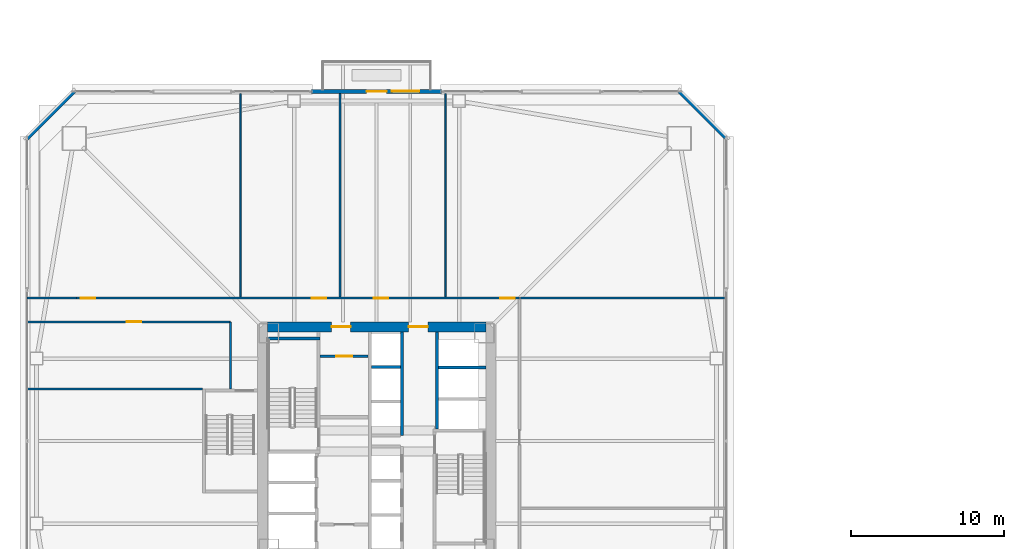
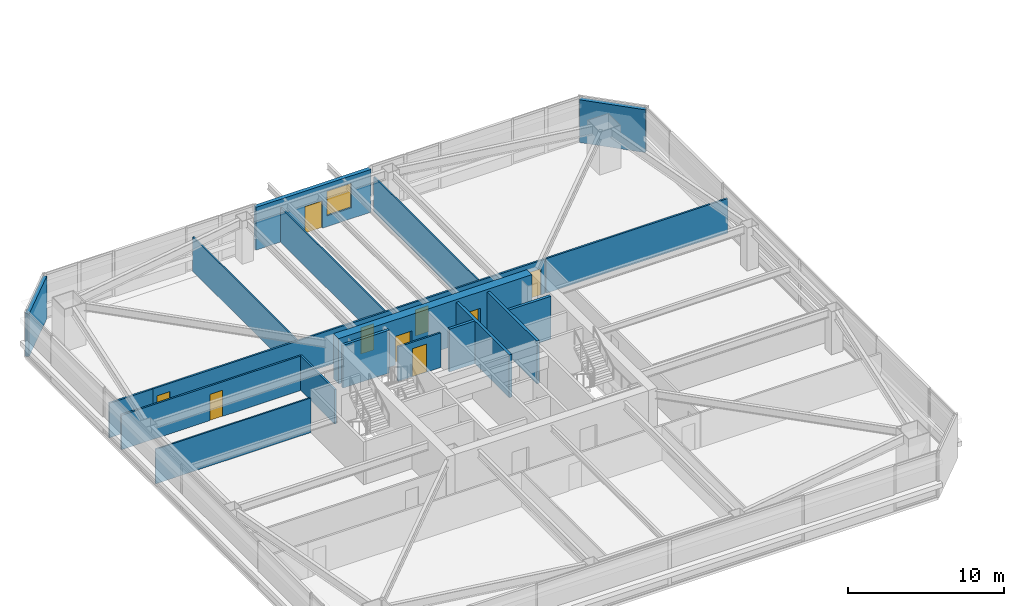
# One storey, part 40 of 51: 19 walls, 9 doors, 1 window, 10 openings.
"""IFC4 building model written with IfcOpenShell, lengths in metres."""

from ifc_helpers import new_model, si_unit, direction, frame, frame_2d, origin, place, context, subcontext, project, spatial, rectangle, extrude, material, layer, layer_set, type_object, element, fill, save


model = new_model("IFC4")

# Units and contexts
model_context = context("Model", 3, precision=1e-05, world=origin(), true_north=direction((0.0, 1.0)))
body_context = subcontext(model_context, "Body", "Model", "MODEL_VIEW")
ifc_project = project(units=[si_unit("LENGTHUNIT", "METRE"), si_unit("AREAUNIT", "SQUARE_METRE"), si_unit("VOLUMEUNIT", "CUBIC_METRE"), si_unit("PLANEANGLEUNIT", "RADIAN"), si_unit("MASSUNIT", "GRAM", prefix="KILO")], contexts=[model_context])

# Site, building, storey
site_placement = place(None, origin())
site = spatial("IfcSite", under=ifc_project, at=site_placement, CompositionType="ELEMENT")
building_placement = place(site_placement, origin())
building = spatial("IfcBuilding", under=site, at=building_placement, Name="Tashvorn Skyway Center", CompositionType="ELEMENT")
storey_placement = place(building_placement, frame((0.0, 0.0, 49.449951171875)))
storey = spatial("IfcBuildingStorey", under=building, at=storey_placement, Name="L12", CompositionType="ELEMENT", Elevation=49.449951171875)

# Wall, openings, doors
ifc_material_1 = material(Name="Concrete C60/75", Category="concrete")
ifc_layer_1 = layer(ifc_material_1, 0.64990234375)
ifc_layer_set_1 = layer_set([ifc_layer_1], Name="Concrete C60/75")
wall_type_1 = type_object("IfcWallType", Name="WALL-CORE-650", PredefinedType="SHEAR", material=ifc_layer_set_1)
wall_1_placement = place(storey_placement, frame((34.85009765625, 39.47509765625, 0.0), z_axis=(0.0, 0.0, 1.0), x_axis=(1.0, 0.0, 0.0)))
wall_1 = element("IfcWall", 1, at=wall_1_placement, inside=storey, type_object=wall_type_1, Name="Tower 1 L12 North Core Shear Wall", PredefinedType="SHEAR", context=body_context, shape_type="SweptSolid", body=[
    extrude(rectangle(XDim=14.2998046875, YDim=0.64990234375, at=frame_2d((7.14990234375, 0.0))), origin(), (0.0, 0.0, 1.0), 3.550048828125),
])
opening_1_placement = place(wall_1_placement, frame((4.199951171875, 0.0, 0.0)))
opening_1 = element("IfcOpeningElement", 2, at=opening_1_placement, cuts=wall_1, Name="Opening D-FFL-1250", PredefinedType="OPENING", context=body_context, shape_type="SweptSolid", body=[
    extrude(rectangle(XDim=1.25, YDim=2.25, at=frame_2d((0.625, 1.125))), frame((0.0, 0.3349609375, 0.0), z_axis=(0.0, -1.0, 0.0), x_axis=(1.0, 0.0, 0.0)), (0.0, 0.0, 1.0), 0.669921875),
])
opening_2_placement = place(wall_1_placement, frame((9.25, 0.0, 0.0)))
opening_2 = element("IfcOpeningElement", 3, at=opening_2_placement, cuts=wall_1, Name="Opening D-FFL-1250", PredefinedType="OPENING", context=body_context, shape_type="SweptSolid", body=[
    extrude(rectangle(XDim=1.25, YDim=2.25, at=frame_2d((0.625, 1.125))), frame((0.0, 0.3349609375, 0.0), z_axis=(0.0, -1.0, 0.0), x_axis=(1.0, 0.0, 0.0)), (0.0, 0.0, 1.0), 0.669921875),
])
ifc_material_2 = material(Name="Hollow galvanized steel fire door assembly", Category="steel")
door_type_1 = type_object("IfcDoorType", Name="DOOR-FFL-1250", OperationType="NOTDEFINED", PredefinedType="DOOR", material=ifc_material_2)
door_1_placement = place(opening_1_placement, origin())
door_1 = element("IfcDoor", 4, at=door_1_placement, inside=storey, type_object=door_type_1, Name="Tower 1 L12 Core North Service Lobby Door", OperationType="SINGLE_SWING_LEFT", OverallHeight=2.25, OverallWidth=1.25, PredefinedType="DOOR", context=body_context, shape_type="SweptSolid", body=[
    extrude(rectangle(XDim=1.25, YDim=2.25, at=frame_2d((0.625, 1.125))), frame((0.0, 0.02490234375, 0.0), z_axis=(0.0, -1.0, 0.0), x_axis=(1.0, 0.0, 0.0)), (0.0, 0.0, 1.0), 0.050048828125),
])
fill(opening_1, door_1)
door_2_placement = place(opening_2_placement, origin())
door_2 = element("IfcDoor", 5, at=door_2_placement, inside=storey, type_object=door_type_1, Name="Tower 1 L12 Core North Lift Lobby Door", OperationType="SINGLE_SWING_RIGHT", OverallHeight=2.25, OverallWidth=1.25, PredefinedType="DOOR", context=body_context, shape_type="SweptSolid", body=[
    extrude(rectangle(XDim=1.25, YDim=2.25, at=frame_2d((0.625, 1.125))), frame((0.0, 0.02490234375, 0.0), z_axis=(0.0, -1.0, 0.0), x_axis=(1.0, 0.0, 0.0)), (0.0, 0.0, 1.0), 0.050048828125),
])
fill(opening_2, door_2)

# Wall, openings, door, window
ifc_material_3 = material(Name="Precast concrete C40/50", Category="concrete")
ifc_layer_2 = layer(ifc_material_3, 0.280029296875)
ifc_layer_set_2 = layer_set([ifc_layer_2], Name="Precast concrete C40/50")
wall_type_2 = type_object("IfcWallType", Name="WALL-EXT-280", PredefinedType="SOLIDWALL", material=ifc_layer_set_2)
wall_2_placement = place(storey_placement, frame((37.75, 54.8798828125, 0.0), z_axis=(0.0, 0.0, 1.0), x_axis=(1.0, 0.0, 0.0)))
wall_2 = element("IfcWall", 6, at=wall_2_placement, inside=storey, type_object=wall_type_2, Name="Tower 1 L12 North Terrace Portal Wall", PredefinedType="SOLIDWALL", context=body_context, shape_type="SweptSolid", body=[
    extrude(rectangle(XDim=8.5, YDim=0.280029296875, at=frame_2d((4.25, 0.0))), origin(), (0.0, 0.0, 1.0), 3.35009765625),
])
opening_3_placement = place(wall_2_placement, frame((3.60009765625, 0.0, 0.0)))
opening_3 = element("IfcOpeningElement", 7, at=opening_3_placement, cuts=wall_2, Name="Opening D-TER-1300", PredefinedType="OPENING", context=body_context, shape_type="SweptSolid", body=[
    extrude(rectangle(XDim=1.300048828125, YDim=2.14990234375, at=frame_2d((0.64990234375, 1.074951171875))), frame((0.0, 0.14990234375, 0.0), z_axis=(0.0, -1.0, 0.0), x_axis=(1.0, 0.0, 0.0)), (0.0, 0.0, 1.0), 0.300048828125),
])
opening_4_placement = place(wall_2_placement, frame((5.239990234375, 0.0, 0.85009765625)))
opening_4 = element("IfcOpeningElement", 8, at=opening_4_placement, cuts=wall_2, Name="Opening WIN-1800", PredefinedType="OPENING", context=body_context, shape_type="SweptSolid", body=[
    extrude(rectangle(XDim=1.800048828125, YDim=1.919921875, at=frame_2d((0.89990234375, 0.9599609375))), frame((0.0, 0.14990234375, 0.0), z_axis=(0.0, -1.0, 0.0), x_axis=(1.0, 0.0, 0.0)), (0.0, 0.0, 1.0), 0.300048828125),
])
ifc_material_4 = material(Name="Thermally broken bronze-anodized aluminium 6063-T6", Category="aluminium")
door_type_2 = type_object("IfcDoorType", Name="DOOR-TERR-1300", OperationType="NOTDEFINED", PredefinedType="DOOR", material=ifc_material_4)
door_3_placement = place(opening_3_placement, origin())
door_3 = element("IfcDoor", 9, at=door_3_placement, inside=storey, type_object=door_type_2, Name="Tower 1 L12 Terrace Access Door", OperationType="SINGLE_SWING_RIGHT", OverallHeight=2.14990234375, OverallWidth=1.300048828125, PredefinedType="DOOR", context=body_context, shape_type="SweptSolid", body=[
    extrude(rectangle(XDim=1.300048828125, YDim=2.14990234375, at=frame_2d((0.64990234375, 1.074951171875))), frame((0.0, 0.02490234375, 0.0), z_axis=(0.0, -1.0, 0.0), x_axis=(1.0, 0.0, 0.0)), (0.0, 0.0, 1.0), 0.050048828125),
])
fill(opening_3, door_3)
ifc_material_5 = material(Name="Low-E solar-control double insulating safety glass", Category="glass")
window_type = type_object("IfcWindowType", Name="WIN-TERR-1800", PartitioningType="SINGLE_PANEL", PredefinedType="WINDOW", material=ifc_material_5)
window_placement = place(opening_4_placement, origin())
window = element("IfcWindow", 10, at=window_placement, inside=storey, type_object=window_type, Name="Tower 1 L12 Terrace Window", OverallHeight=1.919921875, OverallWidth=1.800048828125, PartitioningType="SINGLE_PANEL", PredefinedType="WINDOW", context=body_context, shape_type="SweptSolid", body=[
    extrude(rectangle(XDim=1.800048828125, YDim=1.919921875, at=frame_2d((0.89990234375, 0.9599609375))), frame((0.0, 0.030029296875, 0.0), z_axis=(0.0, -1.0, 0.0), x_axis=(1.0, 0.0, 0.0)), (0.0, 0.0, 1.0), 0.06005859375),
])
fill(opening_4, window)

# Walls
for number, where, z_axis, x_axis, name in (
    (11, (19.10009765625, 51.800048828125, 0.0), (0.0, 0.0, 1.0), (0.707106781187, 0.707106781187, 0.0), "Tower 1 L12 NW Precast Chamfer Wall"),
    (12, (61.800048828125, 54.89990234375, 0.0), (0.0, 0.0, 1.0), (0.707106781187, -0.707106781187, 0.0), "Tower 1 L12 NE Precast Chamfer Wall"),
):
    element("IfcWall", number, at=place(storey_placement, frame(where, z_axis=z_axis, x_axis=x_axis)), inside=storey, type_object=wall_type_2, Name=name, PredefinedType="SOLIDWALL", context=body_context, shape_type="SweptSolid", body=[
        extrude(rectangle(XDim=4.3837890625, YDim=0.280029296875, at=frame_2d((2.19189453125, 0.0))), origin(), (0.0, 0.0, 1.0), 3.35009765625),
    ])
ifc_material_6 = material(Name="Gypsum board on cold-formed steel stud framing", Category="steel")
ifc_layer_3 = layer(ifc_material_6, 0.110107421875)
ifc_layer_set_3 = layer_set([ifc_layer_3], Name="Gypsum board on cold-formed steel stud framing")
wall_type_3 = type_object("IfcWallType", Name="WALL-PART-110", PredefinedType="PARTITIONING", material=ifc_layer_set_3)
for number, where, z_axis, x_axis, name in (
    (13, (33.10009765625, 41.429931640625, 0.0), (0.0, 0.0, 1.0), (0.0, 1.0, 0.0), "Tower 1 L12 North Suite Partition 1"),
    (14, (39.60009765625, 41.429931640625, 0.0), (0.0, 0.0, 1.0), (0.0, 1.0, 0.0), "Tower 1 L12 North Suite Partition 2"),
    (15, (46.5, 41.429931640625, 0.0), (0.0, 0.0, 1.0), (0.0, 1.0, 0.0), "Tower 1 L12 North Suite Partition 3"),
):
    element("IfcWall", number, at=place(storey_placement, frame(where, z_axis=z_axis, x_axis=x_axis)), inside=storey, type_object=wall_type_3, Name=name, PredefinedType="PARTITIONING", context=body_context, shape_type="SweptSolid", body=[
        extrude(rectangle(XDim=13.300048828125, YDim=0.110107421875, at=frame_2d((6.64990234375, 0.0))), origin(), (0.0, 0.0, 1.0), 2.703125),
    ])
wall_3_placement = place(storey_placement, frame((30.60009765625, 35.39990234375, 0.0), z_axis=(0.0, 0.0, 1.0), x_axis=(-1.0, 0.0, 0.0)))
element("IfcWall", 16, at=wall_3_placement, inside=storey, type_object=wall_type_3, Name="Tower 1 L12 West Suite Partition 1", PredefinedType="PARTITIONING", context=body_context, shape_type="SweptSolid", body=[
    extrude(rectangle(XDim=11.47998046875, YDim=0.110107421875, at=frame_2d((5.739990234375, 0.0))), origin(), (0.0, 0.0, 1.0), 2.703125),
])
ifc_layer_4 = layer(ifc_material_6, 0.135009765625)
ifc_layer_set_4 = layer_set([ifc_layer_4], Name="Gypsum board on cold-formed steel stud framing")
wall_type_4 = type_object("IfcWallType", Name="WALL-PART-135", PredefinedType="PARTITIONING", material=ifc_layer_set_4)
wall_4_placement = place(storey_placement, frame((32.449951171875, 35.39990234375, 0.0), z_axis=(0.0, 0.0, 1.0), x_axis=(0.0, 1.0, 0.0)))
element("IfcWall", 17, at=wall_4_placement, inside=storey, type_object=wall_type_4, Name="Tower 1 L12 Stair 3 Access Corridor Wall", PredefinedType="PARTITIONING", context=body_context, shape_type="SweptSolid", body=[
    extrude(rectangle(XDim=4.400146484375, YDim=0.135009765625, at=frame_2d((2.2001953125, 0.0))), origin(), (0.0, 0.0, 1.0), 2.703125),
])

# Wall, openings, doors
wall_5_placement = place(storey_placement, frame((22.35009765625, 41.35009765625, 0.0), z_axis=(0.0, 0.0, 1.0), x_axis=(1.0, 0.0, 0.0)))
wall_5 = element("IfcWall", 18, at=wall_5_placement, inside=storey, type_object=wall_type_4, Name="Tower 1 L12 North Suite Wall", PredefinedType="PARTITIONING", context=body_context, shape_type="SweptSolid", body=[
    extrude(rectangle(XDim=29.0, YDim=0.135009765625, at=frame_2d((14.5, 0.0))), origin(), (0.0, 0.0, 1.0), 2.703125),
])
opening_5_placement = place(wall_5_placement, frame((0.300048828125, 0.0, 0.0)))
opening_5 = element("IfcOpeningElement", 19, at=opening_5_placement, cuts=wall_5, Name="Opening D-INT-950", PredefinedType="OPENING", context=body_context, shape_type="SweptSolid", body=[
    extrude(rectangle(XDim=0.949951171875, YDim=2.050048828125, at=frame_2d((0.47509765625, 1.02490234375))), frame((0.0, 0.077392578125, 0.0), z_axis=(0.0, -1.0, 0.0), x_axis=(1.0, 0.0, 0.0)), (0.0, 0.0, 1.0), 0.155029296875),
])
opening_6_placement = place(wall_5_placement, frame((15.415771484375, 0.0, 0.0)))
opening_6 = element("IfcOpeningElement", 20, at=opening_6_placement, cuts=wall_5, Name="Opening D-INT-950", PredefinedType="OPENING", context=body_context, shape_type="SweptSolid", body=[
    extrude(rectangle(XDim=0.949951171875, YDim=2.050048828125, at=frame_2d((0.47509765625, 1.02490234375))), frame((0.0, 0.077392578125, 0.0), z_axis=(0.0, -1.0, 0.0), x_axis=(1.0, 0.0, 0.0)), (0.0, 0.0, 1.0), 0.155029296875),
])
opening_7_placement = place(wall_5_placement, frame((19.446533203125, 0.0, 0.0)))
opening_7 = element("IfcOpeningElement", 21, at=opening_7_placement, cuts=wall_5, Name="Opening D-INT-950", PredefinedType="OPENING", context=body_context, shape_type="SweptSolid", body=[
    extrude(rectangle(XDim=0.949951171875, YDim=2.050048828125, at=frame_2d((0.47509765625, 1.02490234375))), frame((0.0, 0.077392578125, 0.0), z_axis=(0.0, -1.0, 0.0), x_axis=(1.0, 0.0, 0.0)), (0.0, 0.0, 1.0), 0.155029296875),
])
opening_8_placement = place(wall_5_placement, frame((27.75, 0.0, 0.0)))
opening_8 = element("IfcOpeningElement", 22, at=opening_8_placement, cuts=wall_5, Name="Opening D-INT-950", PredefinedType="OPENING", context=body_context, shape_type="SweptSolid", body=[
    extrude(rectangle(XDim=0.949951171875, YDim=2.050048828125, at=frame_2d((0.47509765625, 1.02490234375))), frame((0.0, 0.077392578125, 0.0), z_axis=(0.0, -1.0, 0.0), x_axis=(1.0, 0.0, 0.0)), (0.0, 0.0, 1.0), 0.155029296875),
])
ifc_material_7 = material(Name="Solid-core architectural oak veneer door")
door_type_3 = type_object("IfcDoorType", Name="DOOR-INT-950", OperationType="NOTDEFINED", PredefinedType="DOOR", material=ifc_material_7)
door_4_placement = place(opening_5_placement, origin())
door_4 = element("IfcDoor", 23, at=door_4_placement, inside=storey, type_object=door_type_3, Name="Tower 1 L12 Conference Room Door", OperationType="SINGLE_SWING_LEFT", OverallHeight=2.050048828125, OverallWidth=0.949951171875, PredefinedType="DOOR", context=body_context, shape_type="SweptSolid", body=[
    extrude(rectangle(XDim=0.949951171875, YDim=2.050048828125, at=frame_2d((0.47509765625, 1.02490234375))), frame((0.0, 0.02490234375, 0.0), z_axis=(0.0, -1.0, 0.0), x_axis=(1.0, 0.0, 0.0)), (0.0, 0.0, 1.0), 0.050048828125),
])
fill(opening_5, door_4)
door_5_placement = place(opening_6_placement, origin())
door_5 = element("IfcDoor", 24, at=door_5_placement, inside=storey, type_object=door_type_3, Name="Tower 1 L12 Conference Room Door", OperationType="SINGLE_SWING_RIGHT", OverallHeight=2.050048828125, OverallWidth=0.949951171875, PredefinedType="DOOR", context=body_context, shape_type="SweptSolid", body=[
    extrude(rectangle(XDim=0.949951171875, YDim=2.050048828125, at=frame_2d((0.47509765625, 1.02490234375))), frame((0.0, 0.02490234375, 0.0), z_axis=(0.0, -1.0, 0.0), x_axis=(1.0, 0.0, 0.0)), (0.0, 0.0, 1.0), 0.050048828125),
])
fill(opening_6, door_5)
door_6_placement = place(opening_7_placement, origin())
door_6 = element("IfcDoor", 25, at=door_6_placement, inside=storey, type_object=door_type_3, Name="Tower 1 L12 Design Studio Door", OperationType="SINGLE_SWING_LEFT", OverallHeight=2.050048828125, OverallWidth=0.949951171875, PredefinedType="DOOR", context=body_context, shape_type="SweptSolid", body=[
    extrude(rectangle(XDim=0.949951171875, YDim=2.050048828125, at=frame_2d((0.47509765625, 1.02490234375))), frame((0.0, 0.02490234375, 0.0), z_axis=(0.0, -1.0, 0.0), x_axis=(1.0, 0.0, 0.0)), (0.0, 0.0, 1.0), 0.050048828125),
])
fill(opening_7, door_6)
door_7_placement = place(opening_8_placement, origin())
door_7 = element("IfcDoor", 26, at=door_7_placement, inside=storey, type_object=door_type_3, Name="Tower 1 L12 Gallery Showroom Door", OperationType="SINGLE_SWING_RIGHT", OverallHeight=2.050048828125, OverallWidth=0.949951171875, PredefinedType="DOOR", context=body_context, shape_type="SweptSolid", body=[
    extrude(rectangle(XDim=0.949951171875, YDim=2.050048828125, at=frame_2d((0.47509765625, 1.02490234375))), frame((0.0, 0.02490234375, 0.0), z_axis=(0.0, -1.0, 0.0), x_axis=(1.0, 0.0, 0.0)), (0.0, 0.0, 1.0), 0.050048828125),
])
fill(opening_8, door_7)

# Walls
wall_6_placement = place(storey_placement, frame((19.1201171875, 41.35009765625, 0.0), z_axis=(0.0, 0.0, 1.0), x_axis=(1.0, 0.0, 0.0)))
element("IfcWall", 27, at=wall_6_placement, inside=storey, type_object=wall_type_4, Name="Tower 1 L12 North-West Suite South Wall", PredefinedType="PARTITIONING", context=body_context, shape_type="SweptSolid", body=[
    extrude(rectangle(XDim=3.22998046875, YDim=0.135009765625, at=frame_2d((1.614990234375, 0.0))), origin(), (0.0, 0.0, 1.0), 2.703125),
])
wall_7_placement = place(storey_placement, frame((64.8798828125, 41.35009765625, 0.0), z_axis=(0.0, 0.0, 1.0), x_axis=(-1.0, 0.0, 0.0)))
element("IfcWall", 28, at=wall_7_placement, inside=storey, type_object=wall_type_4, Name="Tower 1 L12 East Suite North Wall", PredefinedType="PARTITIONING", context=body_context, shape_type="SweptSolid", body=[
    extrude(rectangle(XDim=13.449951171875, YDim=0.135009765625, at=frame_2d((6.72509765625, 0.0))), origin(), (0.0, 0.0, 1.0), 2.703125),
])

# Wall, opening, door
wall_8_placement = place(storey_placement, frame((32.449951171875, 39.800048828125, 0.0), z_axis=(0.0, 0.0, 1.0), x_axis=(-1.0, 0.0, 0.0)))
wall_8 = element("IfcWall", 29, at=wall_8_placement, inside=storey, type_object=wall_type_4, Name="Tower 1 L12 West Suite North Wall", PredefinedType="PARTITIONING", context=body_context, shape_type="SweptSolid", body=[
    extrude(rectangle(XDim=13.329833984375, YDim=0.135009765625, at=frame_2d((6.6650390625, 0.0))), origin(), (0.0, 0.0, 1.0), 2.703125),
])
opening_9_placement = place(wall_8_placement, frame((5.840087890625, 0.0, 0.0)))
opening_9 = element("IfcOpeningElement", 30, at=opening_9_placement, cuts=wall_8, Name="Opening D-INT-950", PredefinedType="OPENING", context=body_context, shape_type="SweptSolid", body=[
    extrude(rectangle(XDim=0.949951171875, YDim=2.050048828125, at=frame_2d((0.47509765625, 1.02490234375))), frame((0.0, 0.077392578125, 0.0), z_axis=(0.0, -1.0, 0.0), x_axis=(1.0, 0.0, 0.0)), (0.0, 0.0, 1.0), 0.155029296875),
])
door_8_placement = place(opening_9_placement, origin())
door_8 = element("IfcDoor", 31, at=door_8_placement, inside=storey, type_object=door_type_3, Name="Tower 1 L12 Catering Pantry Door", OperationType="SINGLE_SWING_RIGHT", OverallHeight=2.050048828125, OverallWidth=0.949951171875, PredefinedType="DOOR", context=body_context, shape_type="SweptSolid", body=[
    extrude(rectangle(XDim=0.949951171875, YDim=2.050048828125, at=frame_2d((0.47509765625, 1.02490234375))), frame((0.0, 0.02490234375, 0.0), z_axis=(0.0, -1.0, 0.0), x_axis=(1.0, 0.0, 0.0)), (0.0, 0.0, 1.0), 0.050048828125),
])
fill(opening_9, door_8)

ifc_layer_5 = layer(ifc_material_6, 0.135009765625)
ifc_layer_set_5 = layer_set([ifc_layer_5], Name="Gypsum board on cold-formed steel stud framing")
wall_type_5 = type_object("IfcWallType", Name="WALL-RATED-135", PredefinedType="PARTITIONING", material=ifc_layer_set_5)
wall_9_placement = place(storey_placement, frame((38.300048828125, 37.550048828125, 0.0), z_axis=(0.0, 0.0, 1.0), x_axis=(1.0, 0.0, 0.0)))
wall_9 = element("IfcWall", 32, at=wall_9_placement, inside=storey, type_object=wall_type_5, Name="Tower 1 L12 Core Service Lobby Wall", PredefinedType="PARTITIONING", context=body_context, shape_type="SweptSolid", body=[
    extrude(rectangle(XDim=3.14990234375, YDim=0.135009765625, at=frame_2d((1.574951171875, 0.0))), origin(), (0.0, 0.0, 1.0), 2.703125),
])
opening_10_placement = place(wall_9_placement, frame((1.050048828125, 0.0, 0.0)))
opening_10 = element("IfcOpeningElement", 33, at=opening_10_placement, cuts=wall_9, Name="Opening D-RT-1050", PredefinedType="OPENING", context=body_context, shape_type="SweptSolid", body=[
    extrude(rectangle(XDim=1.050048828125, YDim=2.199951171875, at=frame_2d((0.52490234375, 1.10009765625))), frame((0.0, 0.077392578125, 0.0), z_axis=(0.0, -1.0, 0.0), x_axis=(1.0, 0.0, 0.0)), (0.0, 0.0, 1.0), 0.155029296875),
])
door_type_4 = type_object("IfcDoorType", Name="DOOR-RATED-1050", OperationType="NOTDEFINED", PredefinedType="DOOR", material=ifc_material_2)
door_9_placement = place(opening_10_placement, origin())
door_9 = element("IfcDoor", 34, at=door_9_placement, inside=storey, type_object=door_type_4, Name="Tower 1 L12 Core Accessible WC Door", OperationType="SINGLE_SWING_LEFT", OverallHeight=2.199951171875, OverallWidth=1.050048828125, PredefinedType="DOOR", context=body_context, shape_type="SweptSolid", body=[
    extrude(rectangle(XDim=1.050048828125, YDim=2.199951171875, at=frame_2d((0.52490234375, 1.10009765625))), frame((0.0, 0.02490234375, 0.0), z_axis=(0.0, -1.0, 0.0), x_axis=(1.0, 0.0, 0.0)), (0.0, 0.0, 1.0), 0.050048828125),
])
fill(opening_10, door_9)

# Walls
ifc_material_8 = material(Name="Concrete C40/50", Category="concrete")
ifc_layer_6 = layer(ifc_material_8, 0.199951171875)
ifc_layer_set_6 = layer_set([ifc_layer_6], Name="Concrete C40/50")
wall_type_6 = type_object("IfcWallType", Name="WALL-SHAFT-200", PredefinedType="SOLIDWALL", material=ifc_layer_set_6)
wall_10_placement = place(storey_placement, frame((46.050048828125, 36.800048828125, 0.0), z_axis=(0.0, 0.0, 1.0), x_axis=(1.0, 0.0, 0.0)))
element("IfcWall", 35, at=wall_10_placement, inside=storey, type_object=wall_type_6, Name="Tower 1 L12 High-Rise Shaft Divider", PredefinedType="SOLIDWALL", context=body_context, shape_type="SweptSolid", body=[
    extrude(rectangle(XDim=3.099853515625, YDim=0.199951171875, at=frame_2d((1.5498046875, 0.0))), origin(), (0.0, 0.0, 1.0), 3.35009765625),
])
wall_11_placement = place(storey_placement, frame((43.64990234375, 32.35009765625, 0.0), z_axis=(0.0, 0.0, 1.0), x_axis=(0.0, 1.0, 0.0)))
element("IfcWall", 36, at=wall_11_placement, inside=storey, type_object=wall_type_6, Name="Tower 1 L12 Mid-Rise Core Wall", PredefinedType="SOLIDWALL", context=body_context, shape_type="SweptSolid", body=[
    extrude(rectangle(XDim=6.7998046875, YDim=0.199951171875, at=frame_2d((3.39990234375, 0.0))), origin(), (0.0, 0.0, 1.0), 3.35009765625),
])
wall_12_placement = place(storey_placement, frame((41.669921875, 36.85009765625, 0.0), z_axis=(0.0, 0.0, 1.0), x_axis=(1.0, 0.0, 0.0)))
element("IfcWall", 37, at=wall_12_placement, inside=storey, type_object=wall_type_6, Name="Tower 1 L12 Mid-Rise Shaft Divider", PredefinedType="SOLIDWALL", context=body_context, shape_type="SweptSolid", body=[
    extrude(rectangle(XDim=1.880126953125, YDim=0.199951171875, at=frame_2d((0.93994140625, 0.0))), origin(), (0.0, 0.0, 1.0), 3.35009765625),
])
ifc_layer_7 = layer(ifc_material_8, 0.199951171875)
ifc_layer_set_7 = layer_set([ifc_layer_7], Name="Concrete C40/50")
wall_type_7 = type_object("IfcWallType", Name="WALL-STSHF-200", PredefinedType="SHEAR", material=ifc_layer_set_7)
wall_13_placement = place(storey_placement, frame((34.85009765625, 38.699951171875, 0.0), z_axis=(0.0, 0.0, 1.0), x_axis=(1.0, 0.0, 0.0)))
element("IfcWall", 38, at=wall_13_placement, inside=storey, type_object=wall_type_7, Name="Tower 1 L12 Stair 1 North Wall", PredefinedType="SHEAR", context=body_context, shape_type="SweptSolid", body=[
    extrude(rectangle(XDim=3.449951171875, YDim=0.199951171875, at=frame_2d((1.72509765625, 0.0))), origin(), (0.0, 0.0, 1.0), 3.35009765625),
])
wall_14_placement = place(storey_placement, frame((45.949951171875, 39.14990234375, 0.0), z_axis=(0.0, 0.0, 1.0), x_axis=(0.0, -1.0, 0.0)))
element("IfcWall", 39, at=wall_14_placement, inside=storey, type_object=wall_type_7, Name="Tower 1 L12 High-Rise Lift Shaft Front Wall", PredefinedType="SHEAR", context=body_context, shape_type="SweptSolid", body=[
    extrude(rectangle(XDim=6.349853515625, YDim=0.199951171875, at=frame_2d((3.1748046875, 0.0))), origin(), (0.0, 0.0, 1.0), 3.35009765625),
])

save(model, "model.ifc")
